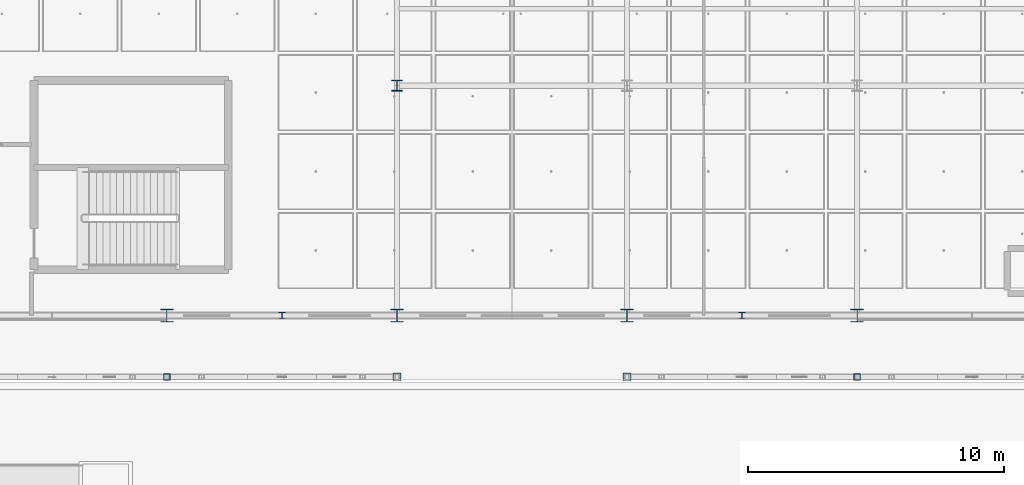
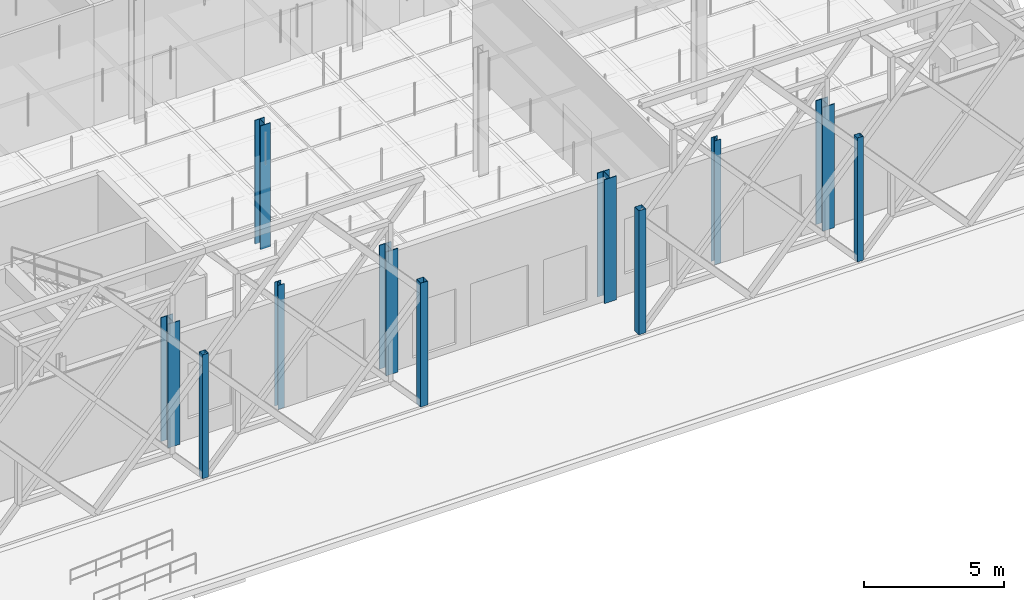
# One storey, part 9 of 180: 11 columns.
"""IFC4 building model written with IfcOpenShell, lengths in metres."""

from ifc_helpers import new_model, si_unit, direction, frame, origin, origin_2d, place, context, subcontext, project, spatial, hollow_rectangle, i_section, extrude, material, material_profile, profile_set, type_object, element, save


model = new_model("IFC4")

# Units and contexts
model_context = context("Model", 3, precision=1e-05, world=origin(), true_north=direction((0.0, 1.0)))
body_context = subcontext(model_context, "Body", "Model", "MODEL_VIEW")
ifc_project = project(units=[si_unit("LENGTHUNIT", "METRE"), si_unit("AREAUNIT", "SQUARE_METRE"), si_unit("VOLUMEUNIT", "CUBIC_METRE"), si_unit("PLANEANGLEUNIT", "RADIAN"), si_unit("MASSUNIT", "GRAM", prefix="KILO"), si_unit("THERMODYNAMICTEMPERATUREUNIT", "KELVIN"), si_unit("POWERUNIT", "WATT")], contexts=[model_context])

# Site, building, storey
site_placement = place(None, origin())
site = spatial("IfcSite", under=ifc_project, at=site_placement, CompositionType="ELEMENT")
building_placement = place(site_placement, origin())
building = spatial("IfcBuilding", under=site, at=building_placement, Name="Tallowbark Science Centre", CompositionType="ELEMENT")
storey_placement = place(building_placement, origin())
storey = spatial("IfcBuildingStorey", under=building, at=storey_placement, Name="L00", CompositionType="ELEMENT", Elevation=0.0)

# Columns
ifc_material_1 = material(Name="White Architectural Painted Steel Grade C350L0 (350 MPa)", Category="steel")
ifc_material_profile_1 = material_profile(ifc_material_1, hollow_rectangle(XDim=0.25, YDim=0.25, WallThickness=0.009033203125, at=origin_2d()), Name="250x250x9.0SHS")
ifc_profile_set_1 = profile_set([ifc_material_profile_1], Name="White Architectural Painted Steel Grade C350L0 (350 MPa)")
column_type_1 = type_object("IfcColumnType", Name="COL-SCR200", PredefinedType="COLUMN", material=ifc_profile_set_1)
for number, where, z_axis, x_axis, name in (
    (1, (67.5, 2.10009765625, 0.0), (0.0, 0.0, 1.0), (1.0, 0.0, 0.0), "Column SCR-S02 L00"),
    (2, (94.5, 2.10009765625, 0.0), (0.0, 0.0, 1.0), (1.0, 0.0, 0.0), "Column SCR-S05 L00"),
):
    element("IfcColumn", number, at=place(storey_placement, frame(where, z_axis=z_axis, x_axis=x_axis)), inside=storey, type_object=column_type_1, Name=name, PredefinedType="COLUMN", context=body_context, shape_type="SweptSolid", body=[
        extrude(hollow_rectangle(XDim=0.25, YDim=0.25, WallThickness=0.009033203125, at=origin_2d()), origin(), (0.0, 0.0, 1.0), 5.39990234375),
    ])
ifc_material_profile_2 = material_profile(ifc_material_1, hollow_rectangle(XDim=0.300048828125, YDim=0.300048828125, WallThickness=0.010009765625, at=origin_2d()), Name="300x300x10.0SHS")
ifc_profile_set_2 = profile_set([ifc_material_profile_2], Name="White Architectural Painted Steel Grade C350L0 (350 MPa)")
column_type_2 = type_object("IfcColumnType", Name="COL-SCR300", PredefinedType="COLUMN", material=ifc_profile_set_2)
for number, where, z_axis, x_axis, name in (
    (3, (76.5, 2.10009765625, 0.0), (0.0, 0.0, 1.0), (1.0, 0.0, 0.0), "Column SCR-S03 L00"),
    (4, (85.5, 2.10009765625, 0.0), (0.0, 0.0, 1.0), (1.0, 0.0, 0.0), "Column SCR-S04 L00"),
):
    element("IfcColumn", number, at=place(storey_placement, frame(where, z_axis=z_axis, x_axis=x_axis)), inside=storey, type_object=column_type_2, Name=name, PredefinedType="COLUMN", context=body_context, shape_type="SweptSolid", body=[
        extrude(hollow_rectangle(XDim=0.300048828125, YDim=0.300048828125, WallThickness=0.010009765625, at=origin_2d()), origin(), (0.0, 0.0, 1.0), 5.39990234375),
    ])
ifc_material_2 = material(Name="Structural Steel Grade 300PLUS (300 MPa)", Category="steel")
ifc_material_profile_3 = material_profile(ifc_material_2, i_section(OverallWidth=0.39990234375, OverallDepth=0.427978515625, WebThickness=0.02001953125, FlangeThickness=0.028076171875, FilletRadius=0.01611328125, at=origin_2d()), Name="400WC270")
ifc_profile_set_3 = profile_set([ifc_material_profile_3], Name="Structural Steel Grade 300PLUS (300 MPa)")
column_type_3 = type_object("IfcColumnType", Name="COL-WC400", PredefinedType="COLUMN", material=ifc_profile_set_3)
column_placement = place(storey_placement, frame((76.5, 13.5, 0.0), z_axis=(0.0, 0.0, 1.0), x_axis=(1.0, 0.0, 0.0)))
element("IfcColumn", 5, at=column_placement, inside=storey, type_object=column_type_3, Name="Column CUB-M2_1 L00", PredefinedType="COLUMN", context=body_context, shape_type="SweptSolid", body=[
    extrude(i_section(OverallWidth=0.39990234375, OverallDepth=0.427978515625, WebThickness=0.02001953125, FlangeThickness=0.028076171875, FilletRadius=0.01611328125, at=origin_2d()), origin(), (0.0, 0.0, 1.0), 5.39990234375),
])
ifc_material_profile_4 = material_profile(ifc_material_2, i_section(OverallWidth=0.5, OverallDepth=0.513916015625, WebThickness=0.02197265625, FlangeThickness=0.031982421875, FilletRadius=0.01611328125, at=origin_2d()), Name="500WC340")
ifc_profile_set_4 = profile_set([ifc_material_profile_4], Name="Structural Steel Grade 300PLUS (300 MPa)")
column_type_4 = type_object("IfcColumnType", Name="COL-WC500", PredefinedType="COLUMN", material=ifc_profile_set_4)
for number, where, z_axis, x_axis, name in (
    (6, (67.5, 4.5, 0.0), (0.0, 0.0, 1.0), (1.0, 0.0, 0.0), "Column CUB-M1_0 L00"),
    (7, (76.5, 4.5, 0.0), (0.0, 0.0, 1.0), (1.0, 0.0, 0.0), "Column CUB-M2_0 L00"),
    (8, (85.5, 4.5, 0.0), (0.0, 0.0, 1.0), (1.0, 0.0, 0.0), "Column CUB-M3_0 L00"),
    (9, (94.5, 4.5, 0.0), (0.0, 0.0, 1.0), (1.0, 0.0, 0.0), "Column CUB-M4_0 L00"),
):
    element("IfcColumn", number, at=place(storey_placement, frame(where, z_axis=z_axis, x_axis=x_axis)), inside=storey, type_object=column_type_4, Name=name, PredefinedType="COLUMN", context=body_context, shape_type="SweptSolid", body=[
        extrude(i_section(OverallWidth=0.5, OverallDepth=0.513916015625, WebThickness=0.02197265625, FlangeThickness=0.031982421875, FilletRadius=0.01611328125, at=origin_2d()), origin(), (0.0, 0.0, 1.0), 5.39990234375),
    ])
ifc_material_profile_5 = material_profile(ifc_material_2, i_section(OverallWidth=0.256103515625, OverallDepth=0.260009765625, WebThickness=0.010498046875, FlangeThickness=0.017333984375, FilletRadius=0.013916015625, at=origin_2d()), Name="250UC89.5")
ifc_profile_set_5 = profile_set([ifc_material_profile_5], Name="Structural Steel Grade 300PLUS (300 MPa)")
column_type_5 = type_object("IfcColumnType", Name="PIL-UC250", PredefinedType="PILASTER", material=ifc_profile_set_5)
for number, where, z_axis, x_axis, name in (
    (10, (72.0, 4.5, 0.0), (0.0, 0.0, 1.0), (1.0, 0.0, 0.0), "Column CUB-PS-1 L00"),
    (11, (90.0, 4.5, 0.0), (0.0, 0.0, 1.0), (1.0, 0.0, 0.0), "Column CUB-PS-3 L00"),
):
    element("IfcColumn", number, at=place(storey_placement, frame(where, z_axis=z_axis, x_axis=x_axis)), inside=storey, type_object=column_type_5, Name=name, PredefinedType="PILASTER", context=body_context, shape_type="SweptSolid", body=[
        extrude(i_section(OverallWidth=0.256103515625, OverallDepth=0.260009765625, WebThickness=0.010498046875, FlangeThickness=0.017333984375, FilletRadius=0.013916015625, at=origin_2d()), origin(), (0.0, 0.0, 1.0), 5.39990234375),
    ])

save(model, "model.ifc")
